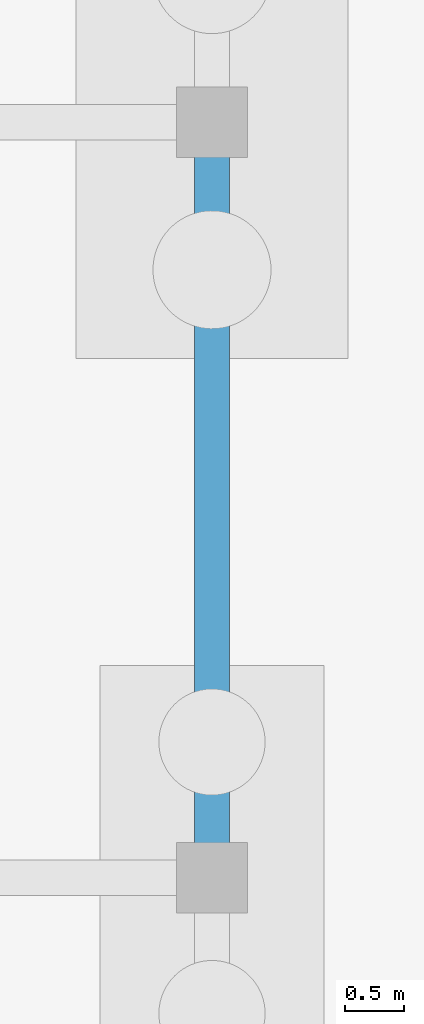
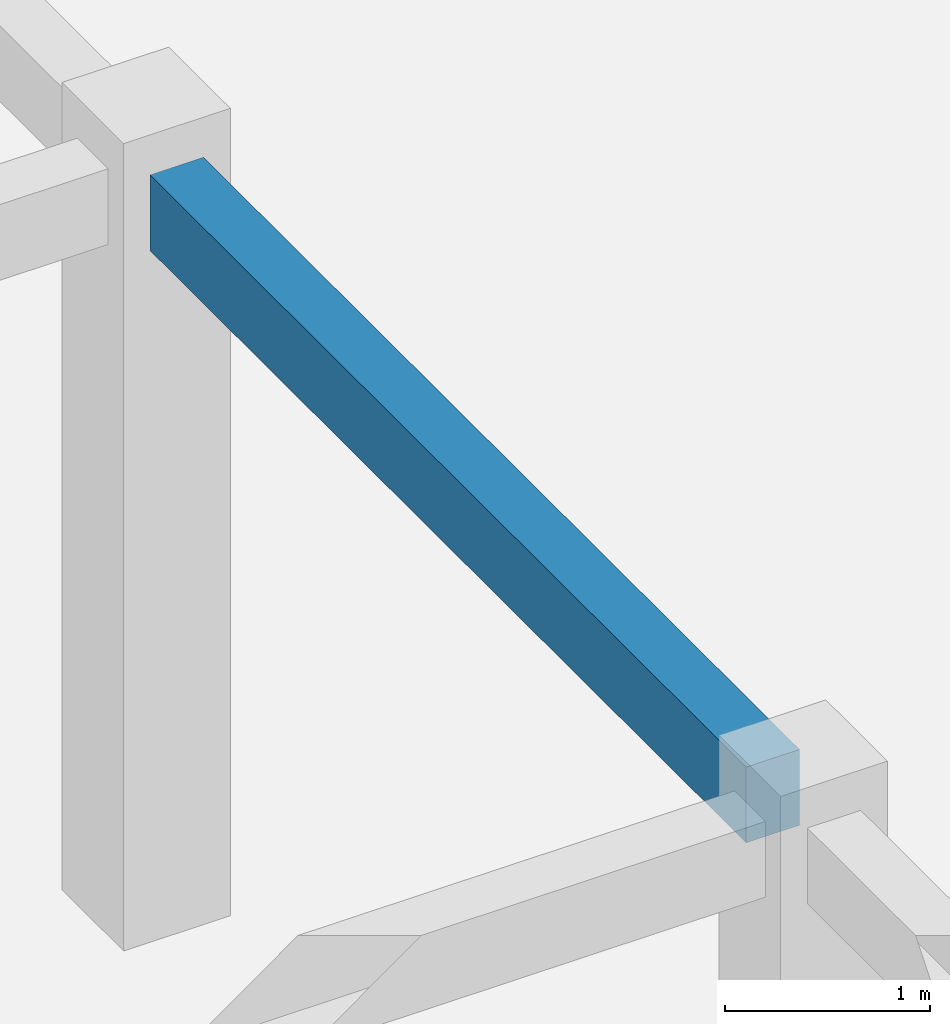
# One storey, part 62 of 192: 1 beam.
"""IFC4 building model written with IfcOpenShell, lengths in metres."""

import ifcopenshell
import ifcopenshell.guid

model = None  # the IFC model being written
_history = None  # IfcOwnerHistory: only IFC2X3 demands one
_inside = {}  # id of a spatial element -> (the spatial element, [elements in it])
_under = {}  # id of a project, library or spatial element -> (it, [spatial elements below it])
_declared = {}  # id of a project -> (the project, [libraries it declares])
_typed = {}  # id of a type object -> (the type object, [elements of that type])
_made_of = {}  # id of a material, layer set ... -> (it, [elements and type objects made of it])


def new_model(schema):
    """Start an empty IFC model of exactly this schema.

    Asked for "IFC4X3", IfcOpenShell would pick the latest addendum, in which some entities
    have other attributes; the version numbers below select the first issue.
    IFC2X3 requires an IfcOwnerHistory on every rooted entity: one is made here for all.
    """
    global model, _history
    if schema == "IFC4X3":
        model = ifcopenshell.file(schema_version=(4, 3, 0, 0))
    else:
        model = ifcopenshell.file(schema=schema)
    _inside.clear()
    _under.clear()
    _declared.clear()
    _typed.clear()
    _made_of.clear()
    _history = None
    if model.schema == "IFC2X3":
        org = make("IfcOrganization", Name="unknown")
        user = make(
            "IfcPersonAndOrganization",
            ThePerson=make("IfcPerson", FamilyName="unknown"),
            TheOrganization=org,
        )
        app = make(
            "IfcApplication",
            ApplicationDeveloper=org,
            Version="unknown",
            ApplicationFullName="unknown",
            ApplicationIdentifier="unknown",
        )
        _history = make(
            "IfcOwnerHistory",
            OwningUser=user,
            OwningApplication=app,
            ChangeAction="ADDED",
            CreationDate=0,
        )
    return model


def make(cls, **values):
    """One entity of the class cls with the attributes given. An attribute that is None is left unset."""
    return model.create_entity(
        cls, **{name: value for name, value in values.items() if value is not None}
    )


def rooted(cls, **values):
    """An entity with a GlobalId (a new one), such as an element, a storey or a relation."""
    return make(cls, GlobalId=ifcopenshell.guid.new(), OwnerHistory=_history, **values)


def si_unit(unit_type, name, prefix=None):
    """IfcSIUnit, for example si_unit("LENGTHUNIT", "METRE", prefix="MILLI")."""
    return make("IfcSIUnit", UnitType=unit_type, Prefix=prefix, Name=name)


def assignment(units):
    """IfcUnitAssignment: the units of a project."""
    return None if units is None else make("IfcUnitAssignment", Units=units)


def point(xyz):
    """IfcCartesianPoint."""
    return None if xyz is None else make("IfcCartesianPoint", Coordinates=xyz)


def direction(xyz):
    """IfcDirection."""
    return None if xyz is None else make("IfcDirection", DirectionRatios=xyz)


def frame(location, z_axis=None, x_axis=None):
    """IfcAxis2Placement3D, a coordinate frame: its origin and axes. An axis left out is left unset."""
    return make(
        "IfcAxis2Placement3D",
        Location=point(location),
        Axis=direction(z_axis),
        RefDirection=direction(x_axis),
    )


def frame_2d(location, x_axis=None):
    """IfcAxis2Placement2D, a coordinate frame in the plane: its origin and x axis."""
    return make(
        "IfcAxis2Placement2D", Location=point(location), RefDirection=direction(x_axis)
    )


def origin():
    """The frame at (0, 0, 0) with its axes left unset."""
    return frame((0.0, 0.0, 0.0))


def origin_2d():
    """The frame at (0, 0) in the plane with its x axis left unset."""
    return frame_2d((0.0, 0.0))


def place(relative_to, where):
    """IfcLocalPlacement: puts the frame where relative to a parent placement (None: the world)."""
    return make(
        "IfcLocalPlacement", PlacementRelTo=relative_to, RelativePlacement=where
    )


def context(
    kind, dimensions, precision=None, world=None, true_north=None, identifier=None
):
    """IfcGeometricRepresentationContext, for example the 3D "Model" context."""
    return make(
        "IfcGeometricRepresentationContext",
        ContextIdentifier=identifier,
        ContextType=kind,
        CoordinateSpaceDimension=dimensions,
        Precision=precision,
        WorldCoordinateSystem=world,
        TrueNorth=true_north,
    )


def subcontext(parent, identifier, kind, view, scale=None):
    """IfcGeometricRepresentationSubContext, for example "Body" below "Model"."""
    return make(
        "IfcGeometricRepresentationSubContext",
        ContextIdentifier=identifier,
        ContextType=kind,
        ParentContext=parent,
        TargetScale=scale,
        TargetView=view,
    )


def project(units=None, contexts=None):
    """IfcProject with its units and contexts."""
    return rooted(
        "IfcProject",
        Name="project",
        RepresentationContexts=contexts,
        UnitsInContext=assignment(units),
    )


def spatial(cls, under=None, at=None, **own):
    """A site, building, storey or space (cls), placed at a placement, below another one or the project."""
    s = rooted(cls, ObjectPlacement=at, **own)
    if under is not None:
        _under.setdefault(under.id(), (under, []))[1].append(s)
    return s


def profile(cls, at=None, kind="AREA", **sizes):
    """A parametric profile (cls). Its sizes go by their IFC names, for example OverallWidth=200.0."""
    return make(cls, ProfileType=kind, Position=at, **sizes)


def rectangle(**sizes):
    """IfcRectangleProfileDef."""
    return profile("IfcRectangleProfileDef", **sizes)


def extrude(swept, where, along, depth):
    """IfcExtrudedAreaSolid: the profile swept, set in the frame where, extruded along a direction by depth."""
    return make(
        "IfcExtrudedAreaSolid",
        SweptArea=swept,
        Position=where,
        ExtrudedDirection=direction(along),
        Depth=depth,
    )


def shape(context_of_items, identifier, shape_type, items):
    """IfcShapeRepresentation: the items that make up one representation, for example the "Body"."""
    return make(
        "IfcShapeRepresentation",
        ContextOfItems=context_of_items,
        RepresentationIdentifier=identifier,
        RepresentationType=shape_type,
        Items=items,
    )


def material(Name=None, Category=None):
    """IfcMaterial."""
    return make("IfcMaterial", Name=Name, Category=Category)


def material_profile(
    of_material, cross_section, Name=None, Category=None, Priority=None
):
    """IfcMaterialProfile: a cross section and its material."""
    return make(
        "IfcMaterialProfile",
        Name=Name,
        Material=of_material,
        Profile=cross_section,
        Priority=Priority,
        Category=Category,
    )


def profile_set(profiles, Name=None, composite=None):
    """IfcMaterialProfileSet."""
    return make(
        "IfcMaterialProfileSet",
        Name=Name,
        MaterialProfiles=profiles,
        CompositeProfile=composite,
    )


def made_of(thing, what):
    """Note that an element or type object is made of a material, layer set ...; save() writes the relation."""
    if what is not None:
        _made_of.setdefault(what.id(), (what, []))[1].append(thing)
    return thing


def type_object(cls, material=None, **own):
    """A type object (cls), such as IfcWallType, which elements share."""
    return made_of(rooted(cls, **own), material)


def element(
    cls,
    number,
    at=None,
    inside=None,
    cuts=None,
    type_object=None,
    material=None,
    context=None,
    identifier="Body",
    shape_type=None,
    held_by="IfcProductDefinitionShape",
    body=None,
    shapes=None,
    **own,
):
    """One element of the class cls, such as IfcWall. Its Tag is "e" and its number.

    at: its placement. inside: the storey or other place that contains it. cuts: it is an
    opening in that element (IfcRelVoidsElement). A single representation is given by context,
    identifier, shape_type and body (its items); several are given by shapes. held_by: the class
    of the entity that holds the representations. save() writes the other relations.
    """
    e = rooted(cls, Tag="e%d" % number, ObjectPlacement=at, **own)
    if body is not None:
        shapes = [shape(context, identifier, shape_type, body)]
    if shapes is not None:
        e.Representation = make(held_by, Representations=shapes)
    if inside is not None:
        _inside.setdefault(inside.id(), (inside, []))[1].append(e)
    if cuts is not None:
        rooted(
            "IfcRelVoidsElement", RelatingBuildingElement=cuts, RelatedOpeningElement=e
        )
    if type_object is not None:
        _typed.setdefault(type_object.id(), (type_object, []))[1].append(e)
    return made_of(e, material)


def aggregate(whole, parts):
    """IfcRelAggregates: a whole, such as a stair, and the parts it consists of."""
    return rooted("IfcRelAggregates", RelatingObject=whole, RelatedObjects=parts)


def save(model, path):
    """Write the relations noted so far, then the file.

    IfcRelAggregates (storeys below a building ...), IfcRelContainedInSpatialStructure (elements
    in a storey), IfcRelDefinesByType, IfcRelAssociatesMaterial and IfcRelDeclares: one each for
    every whole, place, type object, material and project.
    """
    for whole, parts in _under.values():
        aggregate(whole, parts)
    for where, things in _inside.values():
        rooted(
            "IfcRelContainedInSpatialStructure",
            RelatedElements=things,
            RelatingStructure=where,
        )
    for kind, things in _typed.values():
        rooted("IfcRelDefinesByType", RelatedObjects=things, RelatingType=kind)
    for what, things in _made_of.values():
        rooted("IfcRelAssociatesMaterial", RelatedObjects=things, RelatingMaterial=what)
    for by, libraries in _declared.values():
        rooted("IfcRelDeclares", RelatingContext=by, RelatedDefinitions=libraries)
    model.write(path)


model = new_model("IFC4")

# Units and contexts
model_context = context("Model", 3, precision=1e-05, world=origin(), true_north=direction((0.0, 1.0)))
body_context = subcontext(model_context, "Body", "Model", "MODEL_VIEW")
ifc_project = project(units=[si_unit("LENGTHUNIT", "METRE"), si_unit("AREAUNIT", "SQUARE_METRE"), si_unit("VOLUMEUNIT", "CUBIC_METRE"), si_unit("PLANEANGLEUNIT", "RADIAN"), si_unit("MASSUNIT", "GRAM", prefix="KILO")], contexts=[model_context])

# Site, building, storey
site_placement = place(None, origin())
site = spatial("IfcSite", under=ifc_project, at=site_placement, CompositionType="ELEMENT")
building_placement = place(site_placement, origin())
building = spatial("IfcBuilding", under=site, at=building_placement, Name="Trelvath General Hospital", CompositionType="ELEMENT")
storey_placement = place(building_placement, origin())
storey = spatial("IfcBuildingStorey", under=building, at=storey_placement, Name="L00", CompositionType="ELEMENT", Elevation=0.0)

# Beam
ifc_material = material(Name="Concrete C35/45", Category="concrete")
ifc_material_profile = material_profile(ifc_material, rectangle(XDim=0.300048828125, YDim=0.449951171875, at=origin_2d()), Name="RCB300x450")
ifc_profile_set = profile_set([ifc_material_profile], Name="Concrete C35/45")
beam_type = type_object("IfcBeamType", Name="Beam RC300x450", PredefinedType="BEAM", material=ifc_profile_set)
beam_placement = place(storey_placement, frame((60.800048828125, 38.696044921875, 4.3349609375), z_axis=(0.0, 1.0, 0.0), x_axis=(-1.0, 0.0, 0.0)))
element("IfcBeam", 1, at=beam_placement, inside=storey, type_object=beam_type, Name="Cube Interior Ring Beam CUBE-W-T0 L00", PredefinedType="BEAM", context=body_context, shape_type="SweptSolid", body=[
    extrude(rectangle(XDim=0.300048828125, YDim=0.449951171875, at=origin_2d()), origin(), (0.0, 0.0, 1.0), 5.807861328125),
])

save(model, "model.ifc")
